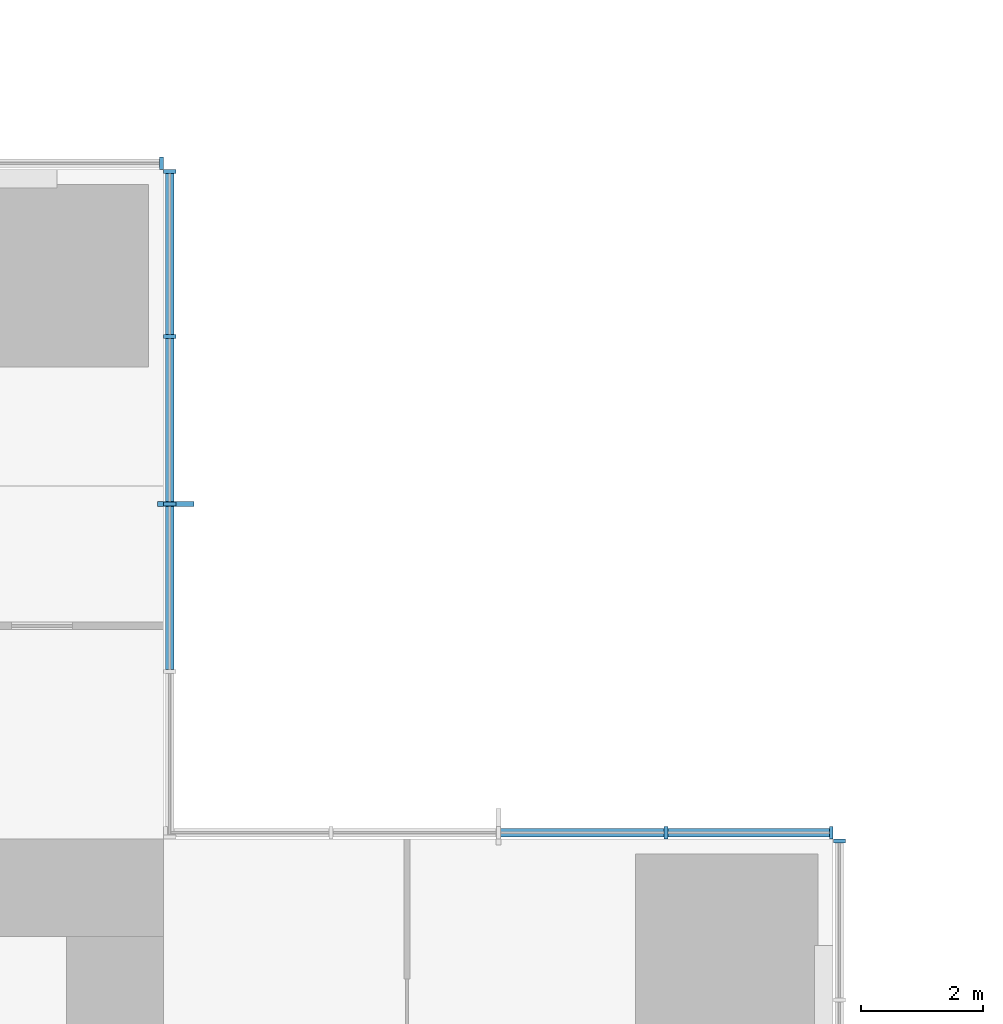
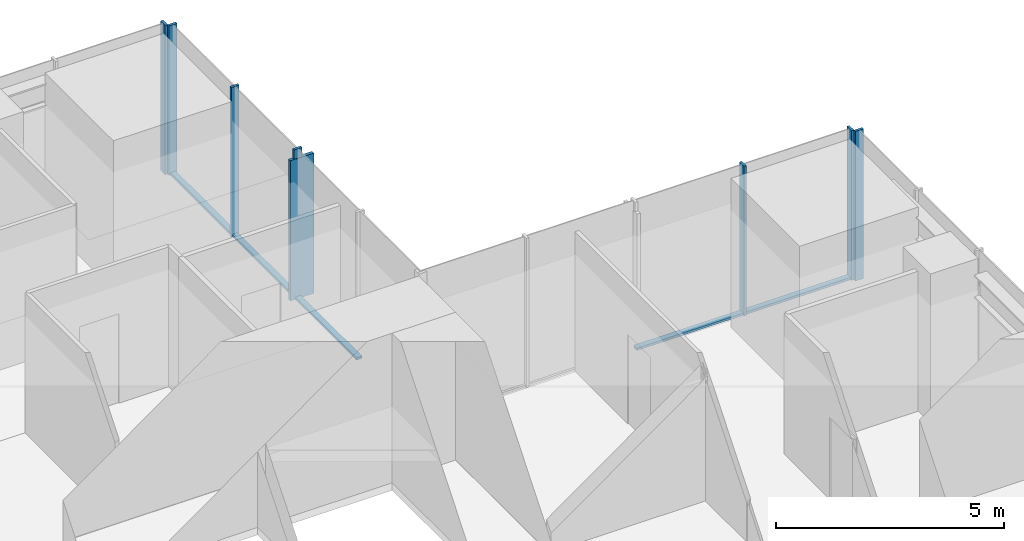
# One storey, part 6 of 14: 13 members, 4 elements without a shape of their own.
"""IFC4 building model written with IfcOpenShell, lengths in metres."""

from ifc_helpers import new_model, si_unit, direction, frame, origin, origin_2d, place, context, subcontext, project, spatial, rectangle, extrude, material, material_profile, profile_set, type_object, element, aggregate, save


model = new_model("IFC4")

# Units and contexts
model_context = context("Model", 3, precision=1e-05, world=origin(), true_north=direction((0.0, 1.0)))
body_context = subcontext(model_context, "Body", "Model", "MODEL_VIEW")
ifc_project = project(units=[si_unit("LENGTHUNIT", "METRE"), si_unit("AREAUNIT", "SQUARE_METRE"), si_unit("VOLUMEUNIT", "CUBIC_METRE"), si_unit("PLANEANGLEUNIT", "RADIAN"), si_unit("MASSUNIT", "GRAM", prefix="KILO")], contexts=[model_context])

# Site, building, storey
site_placement = place(None, origin())
site = spatial("IfcSite", under=ifc_project, at=site_placement, CompositionType="ELEMENT")
building_placement = place(site_placement, origin())
building = spatial("IfcBuilding", under=site, at=building_placement, Name="Svetlomir Tower", CompositionType="ELEMENT")
storey_placement = place(building_placement, frame((0.0, 0.0, 112.5)))
storey = spatial("IfcBuildingStorey", under=building, at=storey_placement, Name="L26", CompositionType="ELEMENT", Elevation=112.5)

# Curtain wall, member
ifc_material_1 = material(Name="Bronze anodised aluminium curtain wall", Category="aluminium")
curtain_wall_type = type_object("IfcCurtainWallType", Name="CURTAIN WALL CW1 TOWER OFFICE", PredefinedType="NOTDEFINED", material=ifc_material_1)
curtain_wall_1_placement = place(storey_placement, origin())
curtain_wall_1 = element("IfcCurtainWall", 1, at=curtain_wall_1_placement, inside=storey, type_object=curtain_wall_type, Name="Curtain wall CW1 L26", PredefinedType="NOTDEFINED")
ifc_material_2 = material(Name="Bronze anodised aluminium", Category="aluminium")
ifc_material_profile_1 = material_profile(ifc_material_2, rectangle(XDim=0.080078125, YDim=0.60009765625, at=origin_2d()), Name="FIN 80x600")
ifc_profile_set_1 = profile_set([ifc_material_profile_1], Name="Bronze anodised aluminium 6063-T6")
member_type_1 = type_object("IfcMemberType", Name="BRONZE FIN 80x600", PredefinedType="USERDEFINED", material=ifc_profile_set_1)
member_1_placement = place(storey_placement, frame((31.199951171875, 36.5, 0.0), z_axis=(0.0, 0.0, 1.0), x_axis=(0.0, 1.0, 0.0)))
member_1 = element("IfcMember", 2, at=member_1_placement, type_object=member_type_1, Name="Bronze fin L26", ObjectType="FIN", PredefinedType="USERDEFINED", context=body_context, shape_type="SweptSolid", body=[
    extrude(rectangle(XDim=0.080078125, YDim=0.60009765625, at=origin_2d()), origin(), (0.0, 0.0, 1.0), 3.75),
])

curtain_wall_2_placement = place(storey_placement, origin())
curtain_wall_2 = element("IfcCurtainWall", 3, at=curtain_wall_2_placement, inside=storey, type_object=curtain_wall_type, Name="Curtain wall CW1 L26", PredefinedType="NOTDEFINED")
ifc_material_3 = material(Name="Bronze anodised aluminium", Category="aluminium")
ifc_material_profile_2 = material_profile(ifc_material_3, rectangle(XDim=0.06494140625, YDim=0.199951171875, at=origin_2d()), Name="AL 65x200")
ifc_profile_set_2 = profile_set([ifc_material_profile_2], Name="Bronze anodised aluminium 6063-T6")
member_type_2 = type_object("IfcMemberType", Name="CW1 MULLION 65x200", PredefinedType="MULLION", material=ifc_profile_set_2)
member_2_placement = place(storey_placement, frame((42.10009765625, 30.967529296875, 0.0), z_axis=(0.0, 0.0, 1.0), x_axis=(0.0, 1.0, 0.0)))
member_2 = element("IfcMember", 4, at=member_2_placement, type_object=member_type_2, Name="CW1 mullion 5", PredefinedType="MULLION", context=body_context, shape_type="SweptSolid", body=[
    extrude(rectangle(XDim=0.06494140625, YDim=0.199951171875, at=origin_2d()), origin(), (0.0, 0.0, 1.0), 4.0),
])
aggregate(curtain_wall_2, [member_2])

# Curtain wall, members
curtain_wall_3_placement = place(storey_placement, origin())
curtain_wall_3 = element("IfcCurtainWall", 5, at=curtain_wall_3_placement, inside=storey, type_object=curtain_wall_type, Name="Curtain wall CW1 L26", PredefinedType="NOTDEFINED")
member_3_placement = place(storey_placement, frame((41.967529296875, 31.10009765625, 0.0), z_axis=(0.0, 0.0, 1.0), x_axis=(-1.0, 0.0, 0.0)))
member_3 = element("IfcMember", 6, at=member_3_placement, type_object=member_type_2, Name="CW1 mullion 1", PredefinedType="MULLION", context=body_context, shape_type="SweptSolid", body=[
    extrude(rectangle(XDim=0.06494140625, YDim=0.199951171875, at=origin_2d()), origin(), (0.0, 0.0, 1.0), 4.0),
])
member_4_placement = place(storey_placement, frame((39.25, 31.10009765625, 0.0), z_axis=(0.0, 0.0, 1.0), x_axis=(-1.0, 0.0, 0.0)))
member_4 = element("IfcMember", 7, at=member_4_placement, type_object=member_type_2, Name="CW1 mullion 2", PredefinedType="MULLION", context=body_context, shape_type="SweptSolid", body=[
    extrude(rectangle(XDim=0.06494140625, YDim=0.199951171875, at=origin_2d()), origin(), (0.0, 0.0, 1.0), 4.0),
])

# Member
member_5_placement = place(storey_placement, frame((31.10009765625, 36.5, 0.0), z_axis=(0.0, 0.0, 1.0), x_axis=(0.0, 1.0, 0.0)))
member_5 = element("IfcMember", 8, at=member_5_placement, type_object=member_type_2, Name="CW1 mullion 3", PredefinedType="MULLION", context=body_context, shape_type="SweptSolid", body=[
    extrude(rectangle(XDim=0.06494140625, YDim=0.199951171875, at=origin_2d()), origin(), (0.0, 0.0, 1.0), 4.0),
])

member_6_placement = place(storey_placement, frame((31.10009765625, 39.25, 0.0), z_axis=(0.0, 0.0, 1.0), x_axis=(0.0, 1.0, 0.0)))
member_6 = element("IfcMember", 9, at=member_6_placement, type_object=member_type_2, Name="CW1 mullion 4", PredefinedType="MULLION", context=body_context, shape_type="SweptSolid", body=[
    extrude(rectangle(XDim=0.06494140625, YDim=0.199951171875, at=origin_2d()), origin(), (0.0, 0.0, 1.0), 4.0),
])

member_7_placement = place(storey_placement, frame((31.10009765625, 41.967529296875, 0.0), z_axis=(0.0, 0.0, 1.0), x_axis=(0.0, 1.0, 0.0)))
member_7 = element("IfcMember", 10, at=member_7_placement, type_object=member_type_2, Name="CW1 mullion 5", PredefinedType="MULLION", context=body_context, shape_type="SweptSolid", body=[
    extrude(rectangle(XDim=0.06494140625, YDim=0.199951171875, at=origin_2d()), origin(), (0.0, 0.0, 1.0), 4.0),
])

# Curtain wall, member
curtain_wall_4_placement = place(storey_placement, origin())
curtain_wall_4 = element("IfcCurtainWall", 11, at=curtain_wall_4_placement, inside=storey, type_object=curtain_wall_type, Name="Curtain wall CW1 L26", PredefinedType="NOTDEFINED")
member_8_placement = place(storey_placement, frame((30.967529296875, 42.10009765625, 0.0), z_axis=(0.0, 0.0, 1.0), x_axis=(-1.0, 0.0, 0.0)))
member_8 = element("IfcMember", 12, at=member_8_placement, type_object=member_type_2, Name="CW1 mullion 1", PredefinedType="MULLION", context=body_context, shape_type="SweptSolid", body=[
    extrude(rectangle(XDim=0.06494140625, YDim=0.199951171875, at=origin_2d()), origin(), (0.0, 0.0, 1.0), 4.0),
])
aggregate(curtain_wall_4, [member_8])

# Member
ifc_material_4 = material(Name="Bronze anodised aluminium", Category="aluminium")
ifc_material_profile_3 = material_profile(ifc_material_4, rectangle(XDim=0.139892578125, YDim=0.06494140625, at=origin_2d()), Name="AL 140x65")
ifc_profile_set_3 = profile_set([ifc_material_profile_3], Name="Bronze anodised aluminium 6063-T6")
member_type_3 = type_object("IfcMemberType", Name="CW1 TRANSOM 65x140", PredefinedType="USERDEFINED", material=ifc_profile_set_3)
member_9_placement = place(storey_placement, frame((41.93505859375, 31.10009765625, 0.032470703125), z_axis=(-1.0, 0.0, 0.0), x_axis=(0.0, -1.0, 0.0)))
member_9 = element("IfcMember", 13, at=member_9_placement, type_object=member_type_3, Name="CW1 transom 1.1", ObjectType="TRANSOM", PredefinedType="USERDEFINED", context=body_context, shape_type="SweptSolid", body=[
    extrude(rectangle(XDim=0.139892578125, YDim=0.06494140625, at=origin_2d()), origin(), (0.0, 0.0, 1.0), 2.652587890625),
])

member_10_placement = place(storey_placement, frame((39.217529296875, 31.10009765625, 0.032470703125), z_axis=(-1.0, 0.0, 0.0), x_axis=(0.0, -1.0, 0.0)))
member_10 = element("IfcMember", 14, at=member_10_placement, type_object=member_type_3, Name="CW1 transom 2.1", ObjectType="TRANSOM", PredefinedType="USERDEFINED", context=body_context, shape_type="SweptSolid", body=[
    extrude(rectangle(XDim=0.139892578125, YDim=0.06494140625, at=origin_2d()), origin(), (0.0, 0.0, 1.0), 2.68505859375),
])

aggregate(curtain_wall_3, [member_3, member_4, member_9, member_10])

member_11_placement = place(storey_placement, frame((31.10009765625, 33.782470703125, 0.032470703125), z_axis=(0.0, 1.0, 0.0), x_axis=(-1.0, 0.0, 0.0)))
member_11 = element("IfcMember", 15, at=member_11_placement, type_object=member_type_3, Name="CW1 transom 2.1", ObjectType="TRANSOM", PredefinedType="USERDEFINED", context=body_context, shape_type="SweptSolid", body=[
    extrude(rectangle(XDim=0.139892578125, YDim=0.06494140625, at=origin_2d()), origin(), (0.0, 0.0, 1.0), 2.68505859375),
])

member_12_placement = place(storey_placement, frame((31.10009765625, 36.532470703125, 0.032470703125), z_axis=(0.0, 1.0, 0.0), x_axis=(-1.0, 0.0, 0.0)))
member_12 = element("IfcMember", 16, at=member_12_placement, type_object=member_type_3, Name="CW1 transom 3.1", ObjectType="TRANSOM", PredefinedType="USERDEFINED", context=body_context, shape_type="SweptSolid", body=[
    extrude(rectangle(XDim=0.139892578125, YDim=0.06494140625, at=origin_2d()), origin(), (0.0, 0.0, 1.0), 2.68505859375),
])

member_13_placement = place(storey_placement, frame((31.10009765625, 39.282470703125, 0.032470703125), z_axis=(0.0, 1.0, 0.0), x_axis=(-1.0, 0.0, 0.0)))
member_13 = element("IfcMember", 17, at=member_13_placement, type_object=member_type_3, Name="CW1 transom 4.1", ObjectType="TRANSOM", PredefinedType="USERDEFINED", context=body_context, shape_type="SweptSolid", body=[
    extrude(rectangle(XDim=0.139892578125, YDim=0.06494140625, at=origin_2d()), origin(), (0.0, 0.0, 1.0), 2.652587890625),
])

aggregate(curtain_wall_1, [member_5, member_6, member_7, member_11, member_12, member_13, member_1])

save(model, "model.ifc")
